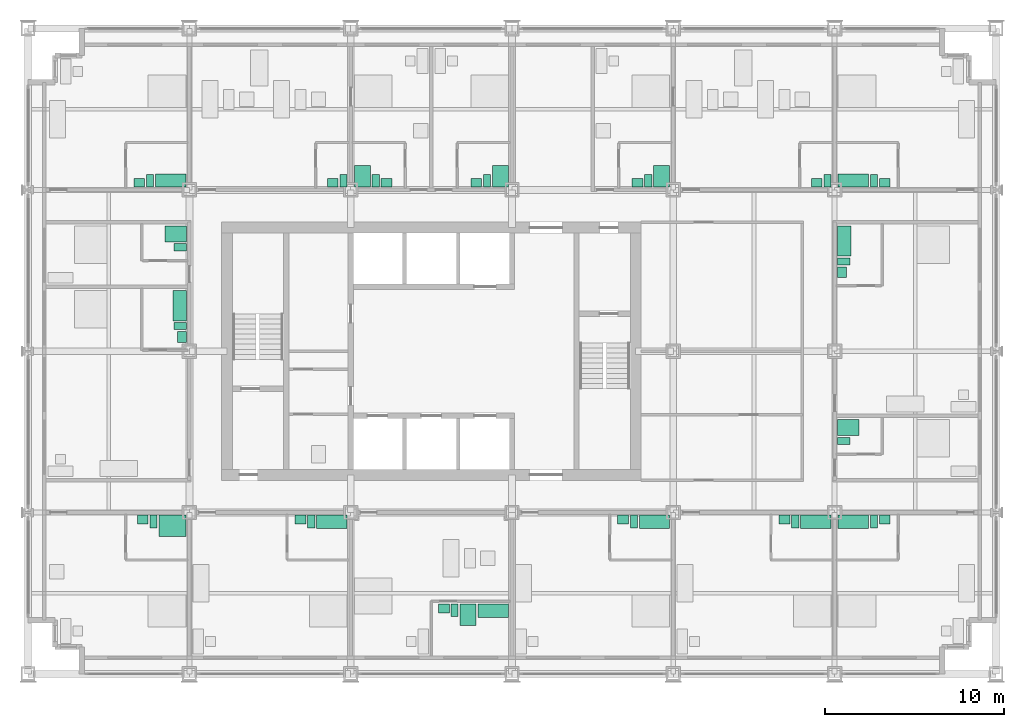
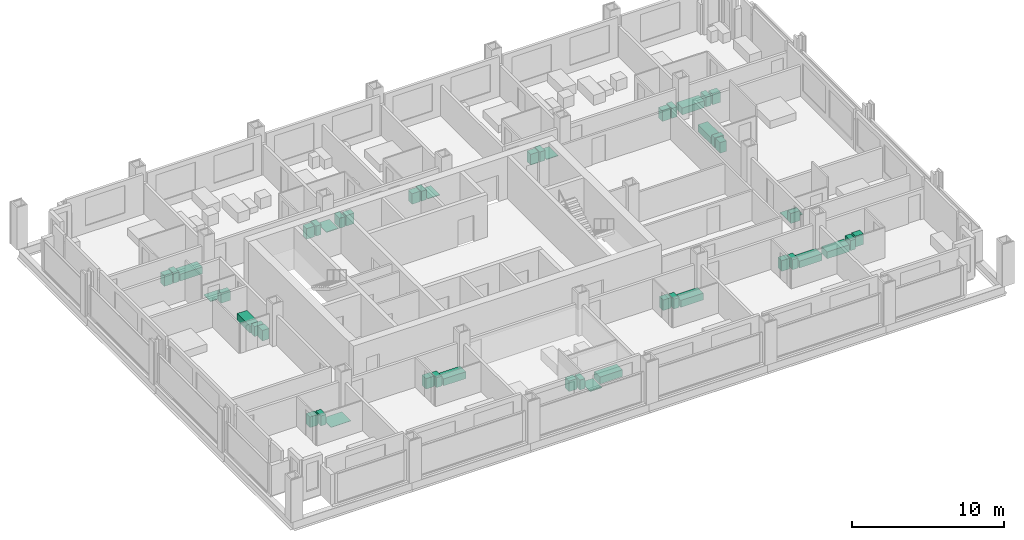
# One storey, part 17 of 18: 48 sanitary terminals.
"""IFC4 building model written with IfcOpenShell, lengths in metres."""

from ifc_helpers import new_model, si_unit, direction, frame, origin, origin_2d, place, context, subcontext, project, spatial, rectangle, extrude, element, save


model = new_model("IFC4")

# Units and contexts
model_context = context("Model", 3, precision=1e-05, world=origin(), true_north=direction((0.0, 1.0)))
body_context = subcontext(model_context, "Body", "Model", "MODEL_VIEW")
ifc_project = project(units=[si_unit("LENGTHUNIT", "METRE"), si_unit("AREAUNIT", "SQUARE_METRE"), si_unit("VOLUMEUNIT", "CUBIC_METRE"), si_unit("PLANEANGLEUNIT", "RADIAN"), si_unit("MASSUNIT", "GRAM", prefix="KILO")], contexts=[model_context])

# Site, building, storey
site_placement = place(None, origin())
site = spatial("IfcSite", under=ifc_project, at=site_placement, CompositionType="ELEMENT")
building_placement = place(site_placement, origin())
building = spatial("IfcBuilding", under=site, at=building_placement, Name="Loomwork Tower", CompositionType="ELEMENT")
storey_placement = place(building_placement, frame((0.0, 0.0, 41.60009765625)))
storey = spatial("IfcBuildingStorey", under=building, at=storey_placement, Name="L09", CompositionType="ELEMENT", Elevation=41.60009765625)

# Sanitary terminals
sanitary_terminal_1_placement = place(storey_placement, frame((8.050048828125, 8.25, 0.0), z_axis=(0.0, 0.0, 1.0), x_axis=(1.0, 0.0, 0.0)))
element("IfcSanitaryTerminal", 1, at=sanitary_terminal_1_placement, inside=storey, Name="Roll-in shower floor L09", PredefinedType="SHOWER", context=body_context, shape_type="SweptSolid", body=[
    extrude(rectangle(XDim=1.5, YDim=1.199951171875, at=origin_2d()), origin(), (0.0, 0.0, 1.0), 0.030029296875),
])
sanitary_terminal_2_placement = place(storey_placement, frame((7.0, 8.5, 0.0), z_axis=(0.0, 0.0, 1.0), x_axis=(1.0, 0.0, 0.0)))
element("IfcSanitaryTerminal", 2, at=sanitary_terminal_2_placement, inside=storey, Name="WC L09", PredefinedType="TOILETPAN", context=body_context, shape_type="SweptSolid", body=[
    extrude(rectangle(XDim=0.39990234375, YDim=0.699951171875, at=origin_2d()), origin(), (0.0, 0.0, 1.0), 0.800048828125),
])
sanitary_terminal_3_placement = place(storey_placement, frame((6.39990234375, 8.60009765625, -0.000244140625), z_axis=(0.0, 0.0, 1.0), x_axis=(1.0, 0.0, 0.0)))
element("IfcSanitaryTerminal", 3, at=sanitary_terminal_3_placement, inside=storey, Name="Basin vanity L09", PredefinedType="WASHHANDBASIN", context=body_context, shape_type="SweptSolid", body=[
    extrude(rectangle(XDim=0.60009765625, YDim=0.5, at=origin_2d()), origin(), (0.0, 0.0, 1.0), 0.85009765625),
])
sanitary_terminal_4_placement = place(storey_placement, frame((16.949951171875, 8.47509765625, 0.0), z_axis=(0.0, 0.0, 1.0), x_axis=(1.0, 0.0, 0.0)))
element("IfcSanitaryTerminal", 4, at=sanitary_terminal_4_placement, inside=storey, Name="Bath L09", PredefinedType="BATH", context=body_context, shape_type="SweptSolid", body=[
    extrude(rectangle(XDim=1.699951171875, YDim=0.75, at=origin_2d()), origin(), (0.0, 0.0, 1.0), 0.550048828125),
])
sanitary_terminal_5_placement = place(storey_placement, frame((15.800048828125, 8.5, 0.0), z_axis=(0.0, 0.0, 1.0), x_axis=(1.0, 0.0, 0.0)))
element("IfcSanitaryTerminal", 5, at=sanitary_terminal_5_placement, inside=storey, Name="WC L09", PredefinedType="TOILETPAN", context=body_context, shape_type="SweptSolid", body=[
    extrude(rectangle(XDim=0.39990234375, YDim=0.699951171875, at=origin_2d()), origin(), (0.0, 0.0, 1.0), 0.800048828125),
])
sanitary_terminal_6_placement = place(storey_placement, frame((15.199951171875, 8.60009765625, -0.000244140625), z_axis=(0.0, 0.0, 1.0), x_axis=(1.0, 0.0, 0.0)))
element("IfcSanitaryTerminal", 6, at=sanitary_terminal_6_placement, inside=storey, Name="Basin vanity L09", PredefinedType="WASHHANDBASIN", context=body_context, shape_type="SweptSolid", body=[
    extrude(rectangle(XDim=0.60009765625, YDim=0.5, at=origin_2d()), origin(), (0.0, 0.0, 1.0), 0.85009765625),
])
sanitary_terminal_7_placement = place(storey_placement, frame((25.949951171875, 3.52490234375, 0.0), z_axis=(0.0, 0.0, 1.0), x_axis=(1.0, 0.0, 0.0)))
element("IfcSanitaryTerminal", 7, at=sanitary_terminal_7_placement, inside=storey, Name="Bath L09", PredefinedType="BATH", context=body_context, shape_type="SweptSolid", body=[
    extrude(rectangle(XDim=1.699951171875, YDim=0.75, at=origin_2d()), origin(), (0.0, 0.0, 1.0), 0.550048828125),
])
sanitary_terminal_8_placement = place(storey_placement, frame((24.550048828125, 3.300048828125, 0.0), z_axis=(0.0, 0.0, 1.0), x_axis=(1.0, 0.0, 0.0)))
element("IfcSanitaryTerminal", 8, at=sanitary_terminal_8_placement, inside=storey, Name="Shower tray L09", PredefinedType="SHOWER", context=body_context, shape_type="SweptSolid", body=[
    extrude(rectangle(XDim=0.89990234375, YDim=1.199951171875, at=origin_2d()), origin(), (0.0, 0.0, 1.0), 0.050048828125),
])
sanitary_terminal_9_placement = place(storey_placement, frame((23.800048828125, 3.550048828125, 0.0), z_axis=(0.0, 0.0, 1.0), x_axis=(1.0, 0.0, 0.0)))
element("IfcSanitaryTerminal", 9, at=sanitary_terminal_9_placement, inside=storey, Name="WC L09", PredefinedType="TOILETPAN", context=body_context, shape_type="SweptSolid", body=[
    extrude(rectangle(XDim=0.39990234375, YDim=0.699951171875, at=origin_2d()), origin(), (0.0, 0.0, 1.0), 0.800048828125),
])
sanitary_terminal_10_placement = place(storey_placement, frame((23.199951171875, 3.64990234375, -0.000244140625), z_axis=(0.0, 0.0, 1.0), x_axis=(1.0, 0.0, 0.0)))
element("IfcSanitaryTerminal", 10, at=sanitary_terminal_10_placement, inside=storey, Name="Basin vanity L09", PredefinedType="WASHHANDBASIN", context=body_context, shape_type="SweptSolid", body=[
    extrude(rectangle(XDim=0.60009765625, YDim=0.5, at=origin_2d()), origin(), (0.0, 0.0, 1.0), 0.85009765625),
])
sanitary_terminal_11_placement = place(storey_placement, frame((34.949951171875, 8.47509765625, 0.0), z_axis=(0.0, 0.0, 1.0), x_axis=(1.0, 0.0, 0.0)))
element("IfcSanitaryTerminal", 11, at=sanitary_terminal_11_placement, inside=storey, Name="Bath L09", PredefinedType="BATH", context=body_context, shape_type="SweptSolid", body=[
    extrude(rectangle(XDim=1.699951171875, YDim=0.75, at=origin_2d()), origin(), (0.0, 0.0, 1.0), 0.550048828125),
])
sanitary_terminal_12_placement = place(storey_placement, frame((33.800048828125, 8.5, 0.0), z_axis=(0.0, 0.0, 1.0), x_axis=(1.0, 0.0, 0.0)))
element("IfcSanitaryTerminal", 12, at=sanitary_terminal_12_placement, inside=storey, Name="WC L09", PredefinedType="TOILETPAN", context=body_context, shape_type="SweptSolid", body=[
    extrude(rectangle(XDim=0.39990234375, YDim=0.699951171875, at=origin_2d()), origin(), (0.0, 0.0, 1.0), 0.800048828125),
])
sanitary_terminal_13_placement = place(storey_placement, frame((33.199951171875, 8.60009765625, -0.000244140625), z_axis=(0.0, 0.0, 1.0), x_axis=(1.0, 0.0, 0.0)))
element("IfcSanitaryTerminal", 13, at=sanitary_terminal_13_placement, inside=storey, Name="Basin vanity L09", PredefinedType="WASHHANDBASIN", context=body_context, shape_type="SweptSolid", body=[
    extrude(rectangle(XDim=0.60009765625, YDim=0.5, at=origin_2d()), origin(), (0.0, 0.0, 1.0), 0.85009765625),
])
sanitary_terminal_14_placement = place(storey_placement, frame((43.949951171875, 8.47509765625, 0.0), z_axis=(0.0, 0.0, 1.0), x_axis=(1.0, 0.0, 0.0)))
element("IfcSanitaryTerminal", 14, at=sanitary_terminal_14_placement, inside=storey, Name="Bath L09", PredefinedType="BATH", context=body_context, shape_type="SweptSolid", body=[
    extrude(rectangle(XDim=1.699951171875, YDim=0.75, at=origin_2d()), origin(), (0.0, 0.0, 1.0), 0.550048828125),
])
sanitary_terminal_15_placement = place(storey_placement, frame((42.800048828125, 8.5, 0.0), z_axis=(0.0, 0.0, 1.0), x_axis=(1.0, 0.0, 0.0)))
element("IfcSanitaryTerminal", 15, at=sanitary_terminal_15_placement, inside=storey, Name="WC L09", PredefinedType="TOILETPAN", context=body_context, shape_type="SweptSolid", body=[
    extrude(rectangle(XDim=0.39990234375, YDim=0.699951171875, at=origin_2d()), origin(), (0.0, 0.0, 1.0), 0.800048828125),
])
sanitary_terminal_16_placement = place(storey_placement, frame((42.199951171875, 8.60009765625, -0.000244140625), z_axis=(0.0, 0.0, 1.0), x_axis=(1.0, 0.0, 0.0)))
element("IfcSanitaryTerminal", 16, at=sanitary_terminal_16_placement, inside=storey, Name="Basin vanity L09", PredefinedType="WASHHANDBASIN", context=body_context, shape_type="SweptSolid", body=[
    extrude(rectangle(XDim=0.60009765625, YDim=0.5, at=origin_2d()), origin(), (0.0, 0.0, 1.0), 0.85009765625),
])
sanitary_terminal_17_placement = place(storey_placement, frame((46.050048828125, 8.47509765625, 0.0), z_axis=(0.0, 0.0, 1.0), x_axis=(1.0, 0.0, 0.0)))
element("IfcSanitaryTerminal", 17, at=sanitary_terminal_17_placement, inside=storey, Name="Bath L09", PredefinedType="BATH", context=body_context, shape_type="SweptSolid", body=[
    extrude(rectangle(XDim=1.699951171875, YDim=0.75, at=origin_2d()), origin(), (0.0, 0.0, 1.0), 0.550048828125),
])
sanitary_terminal_18_placement = place(storey_placement, frame((47.199951171875, 8.5, 0.0), z_axis=(0.0, 0.0, 1.0), x_axis=(1.0, 0.0, 0.0)))
element("IfcSanitaryTerminal", 18, at=sanitary_terminal_18_placement, inside=storey, Name="WC L09", PredefinedType="TOILETPAN", context=body_context, shape_type="SweptSolid", body=[
    extrude(rectangle(XDim=0.39990234375, YDim=0.699951171875, at=origin_2d()), origin(), (0.0, 0.0, 1.0), 0.800048828125),
])
sanitary_terminal_19_placement = place(storey_placement, frame((47.800048828125, 8.60009765625, -0.000244140625), z_axis=(0.0, 0.0, 1.0), x_axis=(1.0, 0.0, 0.0)))
element("IfcSanitaryTerminal", 19, at=sanitary_terminal_19_placement, inside=storey, Name="Basin vanity L09", PredefinedType="WASHHANDBASIN", context=body_context, shape_type="SweptSolid", body=[
    extrude(rectangle(XDim=0.60009765625, YDim=0.5, at=origin_2d()), origin(), (0.0, 0.0, 1.0), 0.85009765625),
])
sanitary_terminal_20_placement = place(storey_placement, frame((7.949951171875, 27.52490234375, 0.0), z_axis=(0.0, 0.0, 1.0), x_axis=(1.0, 0.0, 0.0)))
element("IfcSanitaryTerminal", 20, at=sanitary_terminal_20_placement, inside=storey, Name="Bath L09", PredefinedType="BATH", context=body_context, shape_type="SweptSolid", body=[
    extrude(rectangle(XDim=1.699951171875, YDim=0.75, at=origin_2d()), origin(), (0.0, 0.0, 1.0), 0.550048828125),
])
sanitary_terminal_21_placement = place(storey_placement, frame((6.800048828125, 27.5, 0.0), z_axis=(0.0, 0.0, 1.0), x_axis=(1.0, 0.0, 0.0)))
element("IfcSanitaryTerminal", 21, at=sanitary_terminal_21_placement, inside=storey, Name="WC L09", PredefinedType="TOILETPAN", context=body_context, shape_type="SweptSolid", body=[
    extrude(rectangle(XDim=0.39990234375, YDim=0.699951171875, at=origin_2d()), origin(), (0.0, 0.0, 1.0), 0.800048828125),
])
sanitary_terminal_22_placement = place(storey_placement, frame((6.199951171875, 27.39990234375, -0.000244140625), z_axis=(0.0, 0.0, 1.0), x_axis=(1.0, 0.0, 0.0)))
element("IfcSanitaryTerminal", 22, at=sanitary_terminal_22_placement, inside=storey, Name="Basin vanity L09", PredefinedType="WASHHANDBASIN", context=body_context, shape_type="SweptSolid", body=[
    extrude(rectangle(XDim=0.60009765625, YDim=0.5, at=origin_2d()), origin(), (0.0, 0.0, 1.0), 0.85009765625),
])
sanitary_terminal_23_placement = place(storey_placement, frame((17.60009765625, 27.5, 0.0), z_axis=(0.0, 0.0, 1.0), x_axis=(1.0, 0.0, 0.0)))
element("IfcSanitaryTerminal", 23, at=sanitary_terminal_23_placement, inside=storey, Name="WC L09", PredefinedType="TOILETPAN", context=body_context, shape_type="SweptSolid", body=[
    extrude(rectangle(XDim=0.39990234375, YDim=0.699951171875, at=origin_2d()), origin(), (0.0, 0.0, 1.0), 0.800048828125),
])
sanitary_terminal_24_placement = place(storey_placement, frame((17.0, 27.39990234375, -0.000244140625), z_axis=(0.0, 0.0, 1.0), x_axis=(1.0, 0.0, 0.0)))
element("IfcSanitaryTerminal", 24, at=sanitary_terminal_24_placement, inside=storey, Name="Basin vanity L09", PredefinedType="WASHHANDBASIN", context=body_context, shape_type="SweptSolid", body=[
    extrude(rectangle(XDim=0.60009765625, YDim=0.5, at=origin_2d()), origin(), (0.0, 0.0, 1.0), 0.85009765625),
])
sanitary_terminal_25_placement = place(storey_placement, frame((18.64990234375, 27.75, 0.0), z_axis=(0.0, 0.0, 1.0), x_axis=(1.0, 0.0, 0.0)))
element("IfcSanitaryTerminal", 25, at=sanitary_terminal_25_placement, inside=storey, Name="Shower tray L09", PredefinedType="SHOWER", context=body_context, shape_type="SweptSolid", body=[
    extrude(rectangle(XDim=0.89990234375, YDim=1.199951171875, at=origin_2d()), origin(), (0.0, 0.0, 1.0), 0.050048828125),
])
sanitary_terminal_26_placement = place(storey_placement, frame((19.39990234375, 27.5, 0.0), z_axis=(0.0, 0.0, 1.0), x_axis=(1.0, 0.0, 0.0)))
element("IfcSanitaryTerminal", 26, at=sanitary_terminal_26_placement, inside=storey, Name="WC L09", PredefinedType="TOILETPAN", context=body_context, shape_type="SweptSolid", body=[
    extrude(rectangle(XDim=0.39990234375, YDim=0.699951171875, at=origin_2d()), origin(), (0.0, 0.0, 1.0), 0.800048828125),
])
sanitary_terminal_27_placement = place(storey_placement, frame((20.0, 27.39990234375, -0.000244140625), z_axis=(0.0, 0.0, 1.0), x_axis=(1.0, 0.0, 0.0)))
element("IfcSanitaryTerminal", 27, at=sanitary_terminal_27_placement, inside=storey, Name="Basin vanity L09", PredefinedType="WASHHANDBASIN", context=body_context, shape_type="SweptSolid", body=[
    extrude(rectangle(XDim=0.60009765625, YDim=0.5, at=origin_2d()), origin(), (0.0, 0.0, 1.0), 0.85009765625),
])
sanitary_terminal_28_placement = place(storey_placement, frame((26.35009765625, 27.75, 0.0), z_axis=(0.0, 0.0, 1.0), x_axis=(1.0, 0.0, 0.0)))
element("IfcSanitaryTerminal", 28, at=sanitary_terminal_28_placement, inside=storey, Name="Shower tray L09", PredefinedType="SHOWER", context=body_context, shape_type="SweptSolid", body=[
    extrude(rectangle(XDim=0.89990234375, YDim=1.199951171875, at=origin_2d()), origin(), (0.0, 0.0, 1.0), 0.050048828125),
])
sanitary_terminal_29_placement = place(storey_placement, frame((25.60009765625, 27.5, 0.0), z_axis=(0.0, 0.0, 1.0), x_axis=(1.0, 0.0, 0.0)))
element("IfcSanitaryTerminal", 29, at=sanitary_terminal_29_placement, inside=storey, Name="WC L09", PredefinedType="TOILETPAN", context=body_context, shape_type="SweptSolid", body=[
    extrude(rectangle(XDim=0.39990234375, YDim=0.699951171875, at=origin_2d()), origin(), (0.0, 0.0, 1.0), 0.800048828125),
])
sanitary_terminal_30_placement = place(storey_placement, frame((25.0, 27.39990234375, -0.000244140625), z_axis=(0.0, 0.0, 1.0), x_axis=(1.0, 0.0, 0.0)))
element("IfcSanitaryTerminal", 30, at=sanitary_terminal_30_placement, inside=storey, Name="Basin vanity L09", PredefinedType="WASHHANDBASIN", context=body_context, shape_type="SweptSolid", body=[
    extrude(rectangle(XDim=0.60009765625, YDim=0.5, at=origin_2d()), origin(), (0.0, 0.0, 1.0), 0.85009765625),
])
sanitary_terminal_31_placement = place(storey_placement, frame((35.35009765625, 27.75, 0.0), z_axis=(0.0, 0.0, 1.0), x_axis=(1.0, 0.0, 0.0)))
element("IfcSanitaryTerminal", 31, at=sanitary_terminal_31_placement, inside=storey, Name="Shower tray L09", PredefinedType="SHOWER", context=body_context, shape_type="SweptSolid", body=[
    extrude(rectangle(XDim=0.89990234375, YDim=1.199951171875, at=origin_2d()), origin(), (0.0, 0.0, 1.0), 0.050048828125),
])
sanitary_terminal_32_placement = place(storey_placement, frame((34.60009765625, 27.5, 0.0), z_axis=(0.0, 0.0, 1.0), x_axis=(1.0, 0.0, 0.0)))
element("IfcSanitaryTerminal", 32, at=sanitary_terminal_32_placement, inside=storey, Name="WC L09", PredefinedType="TOILETPAN", context=body_context, shape_type="SweptSolid", body=[
    extrude(rectangle(XDim=0.39990234375, YDim=0.699951171875, at=origin_2d()), origin(), (0.0, 0.0, 1.0), 0.800048828125),
])
sanitary_terminal_33_placement = place(storey_placement, frame((34.0, 27.39990234375, -0.000244140625), z_axis=(0.0, 0.0, 1.0), x_axis=(1.0, 0.0, 0.0)))
element("IfcSanitaryTerminal", 33, at=sanitary_terminal_33_placement, inside=storey, Name="Basin vanity L09", PredefinedType="WASHHANDBASIN", context=body_context, shape_type="SweptSolid", body=[
    extrude(rectangle(XDim=0.60009765625, YDim=0.5, at=origin_2d()), origin(), (0.0, 0.0, 1.0), 0.85009765625),
])
sanitary_terminal_34_placement = place(storey_placement, frame((44.60009765625, 27.5, 0.0), z_axis=(0.0, 0.0, 1.0), x_axis=(1.0, 0.0, 0.0)))
element("IfcSanitaryTerminal", 34, at=sanitary_terminal_34_placement, inside=storey, Name="WC L09", PredefinedType="TOILETPAN", context=body_context, shape_type="SweptSolid", body=[
    extrude(rectangle(XDim=0.39990234375, YDim=0.699951171875, at=origin_2d()), origin(), (0.0, 0.0, 1.0), 0.800048828125),
])
sanitary_terminal_35_placement = place(storey_placement, frame((44.0, 27.39990234375, -0.000244140625), z_axis=(0.0, 0.0, 1.0), x_axis=(1.0, 0.0, 0.0)))
element("IfcSanitaryTerminal", 35, at=sanitary_terminal_35_placement, inside=storey, Name="Basin vanity L09", PredefinedType="WASHHANDBASIN", context=body_context, shape_type="SweptSolid", body=[
    extrude(rectangle(XDim=0.60009765625, YDim=0.5, at=origin_2d()), origin(), (0.0, 0.0, 1.0), 0.85009765625),
])
sanitary_terminal_36_placement = place(storey_placement, frame((46.050048828125, 27.52490234375, 0.0), z_axis=(0.0, 0.0, 1.0), x_axis=(1.0, 0.0, 0.0)))
element("IfcSanitaryTerminal", 36, at=sanitary_terminal_36_placement, inside=storey, Name="Bath L09", PredefinedType="BATH", context=body_context, shape_type="SweptSolid", body=[
    extrude(rectangle(XDim=1.699951171875, YDim=0.75, at=origin_2d()), origin(), (0.0, 0.0, 1.0), 0.550048828125),
])
sanitary_terminal_37_placement = place(storey_placement, frame((47.199951171875, 27.5, 0.0), z_axis=(0.0, 0.0, 1.0), x_axis=(1.0, 0.0, 0.0)))
element("IfcSanitaryTerminal", 37, at=sanitary_terminal_37_placement, inside=storey, Name="WC L09", PredefinedType="TOILETPAN", context=body_context, shape_type="SweptSolid", body=[
    extrude(rectangle(XDim=0.39990234375, YDim=0.699951171875, at=origin_2d()), origin(), (0.0, 0.0, 1.0), 0.800048828125),
])
sanitary_terminal_38_placement = place(storey_placement, frame((47.800048828125, 27.39990234375, -0.000244140625), z_axis=(0.0, 0.0, 1.0), x_axis=(1.0, 0.0, 0.0)))
element("IfcSanitaryTerminal", 38, at=sanitary_terminal_38_placement, inside=storey, Name="Basin vanity L09", PredefinedType="WASHHANDBASIN", context=body_context, shape_type="SweptSolid", body=[
    extrude(rectangle(XDim=0.60009765625, YDim=0.5, at=origin_2d()), origin(), (0.0, 0.0, 1.0), 0.85009765625),
])
sanitary_terminal_39_placement = place(storey_placement, frame((8.47509765625, 20.550048828125, 0.0), z_axis=(0.0, 0.0, 1.0), x_axis=(1.0, 0.0, 0.0)))
element("IfcSanitaryTerminal", 39, at=sanitary_terminal_39_placement, inside=storey, Name="Bath L09", PredefinedType="BATH", context=body_context, shape_type="SweptSolid", body=[
    extrude(rectangle(XDim=0.75, YDim=1.699951171875, at=origin_2d()), origin(), (0.0, 0.0, 1.0), 0.550048828125),
])
sanitary_terminal_40_placement = place(storey_placement, frame((8.5, 19.39990234375, 0.0), z_axis=(0.0, 0.0, 1.0), x_axis=(1.0, 0.0, 0.0)))
element("IfcSanitaryTerminal", 40, at=sanitary_terminal_40_placement, inside=storey, Name="WC L09", PredefinedType="TOILETPAN", context=body_context, shape_type="SweptSolid", body=[
    extrude(rectangle(XDim=0.699951171875, YDim=0.39990234375, at=origin_2d()), origin(), (0.0, 0.0, 1.0), 0.800048828125),
])
sanitary_terminal_41_placement = place(storey_placement, frame((8.60009765625, 18.800048828125, -0.000244140625), z_axis=(0.0, 0.0, 1.0), x_axis=(1.0, 0.0, 0.0)))
element("IfcSanitaryTerminal", 41, at=sanitary_terminal_41_placement, inside=storey, Name="Basin vanity L09", PredefinedType="WASHHANDBASIN", context=body_context, shape_type="SweptSolid", body=[
    extrude(rectangle(XDim=0.5, YDim=0.60009765625, at=origin_2d()), origin(), (0.0, 0.0, 1.0), 0.85009765625),
])
sanitary_terminal_42_placement = place(storey_placement, frame((8.25, 24.550048828125, 0.0), z_axis=(0.0, 0.0, 1.0), x_axis=(1.0, 0.0, 0.0)))
element("IfcSanitaryTerminal", 42, at=sanitary_terminal_42_placement, inside=storey, Name="Shower tray L09", PredefinedType="SHOWER", context=body_context, shape_type="SweptSolid", body=[
    extrude(rectangle(XDim=1.199951171875, YDim=0.89990234375, at=origin_2d()), origin(), (0.0, 0.0, 1.0), 0.050048828125),
])
sanitary_terminal_43_placement = place(storey_placement, frame((8.5, 23.800048828125, 0.0), z_axis=(0.0, 0.0, 1.0), x_axis=(1.0, 0.0, 0.0)))
element("IfcSanitaryTerminal", 43, at=sanitary_terminal_43_placement, inside=storey, Name="WC L09", PredefinedType="TOILETPAN", context=body_context, shape_type="SweptSolid", body=[
    extrude(rectangle(XDim=0.699951171875, YDim=0.39990234375, at=origin_2d()), origin(), (0.0, 0.0, 1.0), 0.800048828125),
])
sanitary_terminal_44_placement = place(storey_placement, frame((45.75, 13.75, 0.0), z_axis=(0.0, 0.0, 1.0), x_axis=(1.0, 0.0, 0.0)))
element("IfcSanitaryTerminal", 44, at=sanitary_terminal_44_placement, inside=storey, Name="Shower tray L09", PredefinedType="SHOWER", context=body_context, shape_type="SweptSolid", body=[
    extrude(rectangle(XDim=1.199951171875, YDim=0.89990234375, at=origin_2d()), origin(), (0.0, 0.0, 1.0), 0.050048828125),
])
sanitary_terminal_45_placement = place(storey_placement, frame((45.5, 13.0, 0.0), z_axis=(0.0, 0.0, 1.0), x_axis=(1.0, 0.0, 0.0)))
element("IfcSanitaryTerminal", 45, at=sanitary_terminal_45_placement, inside=storey, Name="WC L09", PredefinedType="TOILETPAN", context=body_context, shape_type="SweptSolid", body=[
    extrude(rectangle(XDim=0.699951171875, YDim=0.39990234375, at=origin_2d()), origin(), (0.0, 0.0, 1.0), 0.800048828125),
])
sanitary_terminal_46_placement = place(storey_placement, frame((45.52490234375, 24.14990234375, 0.0), z_axis=(0.0, 0.0, 1.0), x_axis=(1.0, 0.0, 0.0)))
element("IfcSanitaryTerminal", 46, at=sanitary_terminal_46_placement, inside=storey, Name="Bath L09", PredefinedType="BATH", context=body_context, shape_type="SweptSolid", body=[
    extrude(rectangle(XDim=0.75, YDim=1.699951171875, at=origin_2d()), origin(), (0.0, 0.0, 1.0), 0.550048828125),
])
sanitary_terminal_47_placement = place(storey_placement, frame((45.5, 23.0, 0.0), z_axis=(0.0, 0.0, 1.0), x_axis=(1.0, 0.0, 0.0)))
element("IfcSanitaryTerminal", 47, at=sanitary_terminal_47_placement, inside=storey, Name="WC L09", PredefinedType="TOILETPAN", context=body_context, shape_type="SweptSolid", body=[
    extrude(rectangle(XDim=0.699951171875, YDim=0.39990234375, at=origin_2d()), origin(), (0.0, 0.0, 1.0), 0.800048828125),
])
sanitary_terminal_48_placement = place(storey_placement, frame((45.39990234375, 22.39990234375, -0.000244140625), z_axis=(0.0, 0.0, 1.0), x_axis=(1.0, 0.0, 0.0)))
element("IfcSanitaryTerminal", 48, at=sanitary_terminal_48_placement, inside=storey, Name="Basin vanity L09", PredefinedType="WASHHANDBASIN", context=body_context, shape_type="SweptSolid", body=[
    extrude(rectangle(XDim=0.5, YDim=0.60009765625, at=origin_2d()), origin(), (0.0, 0.0, 1.0), 0.85009765625),
])

save(model, "model.ifc")
